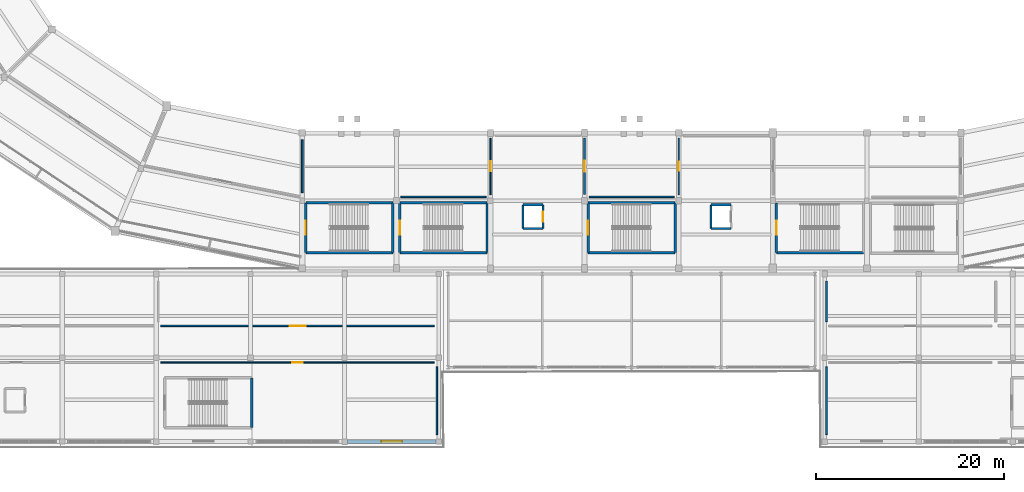
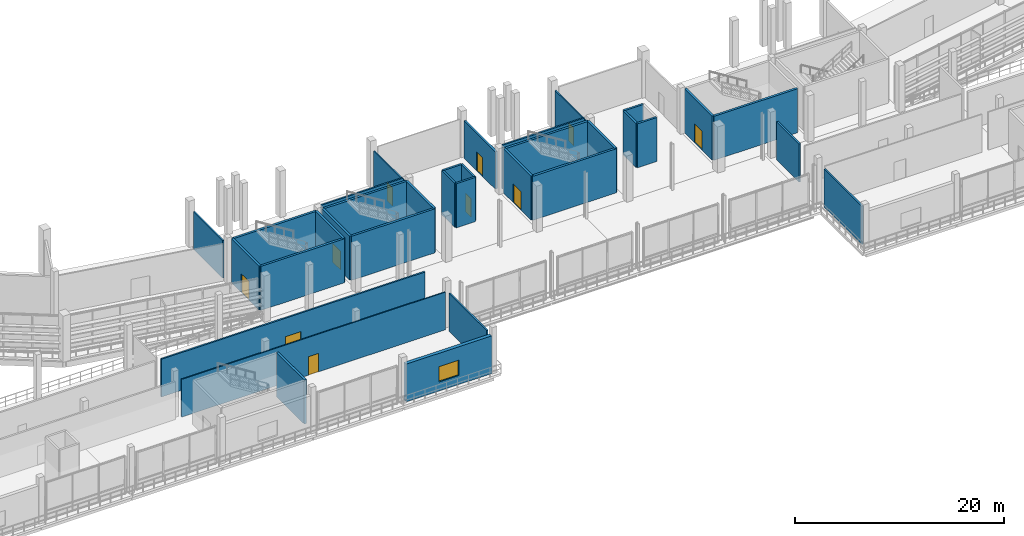
# One storey, part 71 of 111: 34 walls, 10 doors, 1 window, 11 openings.
"""IFC4 building model written with IfcOpenShell, lengths in metres."""

from ifc_helpers import new_model, si_unit, direction, frame, frame_2d, origin, place, context, subcontext, project, spatial, rectangle, extrude, material, layer, layer_set, type_object, element, fill, save


model = new_model("IFC4")

# Units and contexts
model_context = context("Model", 3, precision=1e-05, world=origin(), true_north=direction((0.0, 1.0)))
body_context = subcontext(model_context, "Body", "Model", "MODEL_VIEW")
ifc_project = project(units=[si_unit("LENGTHUNIT", "METRE"), si_unit("AREAUNIT", "SQUARE_METRE"), si_unit("VOLUMEUNIT", "CUBIC_METRE"), si_unit("PLANEANGLEUNIT", "RADIAN"), si_unit("MASSUNIT", "GRAM", prefix="KILO")], contexts=[model_context])

# Site, building, storey
site_placement = place(None, origin())
site = spatial("IfcSite", under=ifc_project, at=site_placement, CompositionType="ELEMENT")
building_placement = place(site_placement, origin())
building = spatial("IfcBuilding", under=site, at=building_placement, Name="Candeia Ridge Stadium", CompositionType="ELEMENT")
storey_placement = place(building_placement, frame((0.0, 0.0, 16.199951171875)))
storey = spatial("IfcBuildingStorey", under=building, at=storey_placement, Name="L03", CompositionType="ELEMENT", Elevation=16.199951171875)

# Wall, opening, door
ifc_material_1 = material(Name="Gypsum Metal-Stud Partition", Category="gypsum")
ifc_layer_1 = layer(ifc_material_1, 0.14501953125, Name="Gypsum Metal-Stud Partition", Category="gypsum")
ifc_layer_set_1 = layer_set([ifc_layer_1], Name="Gypsum Metal-Stud Partition")
wall_type_1 = type_object("IfcWallType", Name="Athlete Recovery Partition 145", PredefinedType="PARTITIONING", material=ifc_layer_set_1)
wall_1_placement = place(storey_placement, frame((111.0, 32.85009765625, 0.0), z_axis=(0.0, 0.0, 1.0), x_axis=(0.0, -1.0, 0.0)))
wall_1 = element("IfcWall", 1, at=wall_1_placement, inside=storey, type_object=wall_type_1, Name="Interior partition PT-L03-0597", PredefinedType="PARTITIONING", context=body_context, shape_type="SweptSolid", body=[
    extrude(rectangle(XDim=6.0, YDim=0.14501953125, at=frame_2d((3.0, 0.0))), origin(), (0.0, 0.0, 1.0), 4.375),
])
opening_1_placement = place(wall_1_placement, frame((2.5, 0.0, 0.0)))
opening_1 = element("IfcOpeningElement", 2, at=opening_1_placement, cuts=wall_1, Name="Opening ID06", PredefinedType="OPENING", context=body_context, shape_type="SweptSolid", body=[
    extrude(rectangle(XDim=1.0, YDim=2.10009765625, at=frame_2d((0.5, 1.050048828125))), frame((0.0, 0.08251953125, 0.0), z_axis=(0.0, -1.0, 0.0), x_axis=(1.0, 0.0, 0.0)), (0.0, 0.0, 1.0), 0.1650390625),
])
ifc_material_2 = material(Name="Moisture-Resistant Laminate", Category="wood")
door_type_1 = type_object("IfcDoorType", Name="Accessible Sanitary Door 1000x2100", OperationType="NOTDEFINED", PredefinedType="DOOR", material=ifc_material_2)
door_1_placement = place(opening_1_placement, origin())
door_1 = element("IfcDoor", 3, at=door_1_placement, inside=storey, type_object=door_type_1, Name="Interior room door D-L03-0307", OperationType="SINGLE_SWING_RIGHT", OverallHeight=2.10009765625, OverallWidth=1.0, PredefinedType="DOOR", context=body_context, shape_type="SweptSolid", body=[
    extrude(rectangle(XDim=1.0, YDim=2.10009765625, at=frame_2d((0.5, 1.050048828125))), frame((0.0, 0.02490234375, 0.0), z_axis=(0.0, -1.0, 0.0), x_axis=(1.0, 0.0, 0.0)), (0.0, 0.0, 1.0), 0.050048828125),
])
fill(opening_1, door_1)

ifc_material_3 = material(Name="Concrete Masonry Blockwork C25/30", Category="masonry")
ifc_layer_2 = layer(ifc_material_3, 0.14990234375, Name="Concrete Masonry Blockwork C25/30", Category="masonry")
ifc_layer_set_2 = layer_set([ifc_layer_2], Name="Concrete Masonry Blockwork C25/30")
wall_type_2 = type_object("IfcWallType", Name="Concourse Kiosk Partition 150", PredefinedType="PARTITIONING", material=ifc_layer_set_2)
wall_2_placement = place(storey_placement, frame((91.0, 32.85009765625, 0.0), z_axis=(0.0, 0.0, 1.0), x_axis=(0.0, -1.0, 0.0)))
wall_2 = element("IfcWall", 4, at=wall_2_placement, inside=storey, type_object=wall_type_2, Name="Interior partition PT-L03-0593", PredefinedType="PARTITIONING", context=body_context, shape_type="SweptSolid", body=[
    extrude(rectangle(XDim=6.0, YDim=0.14990234375, at=frame_2d((3.0, 0.0))), origin(), (0.0, 0.0, 1.0), 4.304931640625),
])
opening_2_placement = place(wall_2_placement, frame((2.489990234375, 0.0, 0.0)))
opening_2 = element("IfcOpeningElement", 5, at=opening_2_placement, cuts=wall_2, Name="Opening ID16", PredefinedType="OPENING", context=body_context, shape_type="SweptSolid", body=[
    extrude(rectangle(XDim=1.02001953125, YDim=2.14990234375, at=frame_2d((0.510009765625, 1.074951171875))), frame((0.0, 0.0849609375, 0.0), z_axis=(0.0, -1.0, 0.0), x_axis=(1.0, 0.0, 0.0)), (0.0, 0.0, 1.0), 0.169921875),
])
ifc_material_4 = material(Name="Solid Core Cedar Veneer", Category="wood")
door_type_2 = type_object("IfcDoorType", Name="Community Classroom Door 1020x2150", OperationType="NOTDEFINED", PredefinedType="DOOR", material=ifc_material_4)
door_2_placement = place(opening_2_placement, frame((1.02001953125, 0.0, 0.0), z_axis=(0.0, 0.0, 1.0), x_axis=(-1.0, 0.0, 0.0)))
door_2 = element("IfcDoor", 6, at=door_2_placement, inside=storey, type_object=door_type_2, Name="Interior room door D-L03-0305", OperationType="SINGLE_SWING_RIGHT", OverallHeight=2.14990234375, OverallWidth=1.02001953125, PredefinedType="DOOR", context=body_context, shape_type="SweptSolid", body=[
    extrude(rectangle(XDim=1.02001953125, YDim=2.14990234375, at=frame_2d((0.510009765625, 1.074951171875))), frame((0.0, 0.02490234375, 0.0), z_axis=(0.0, -1.0, 0.0), x_axis=(1.0, 0.0, 0.0)), (0.0, 0.0, 1.0), 0.050048828125),
])
fill(opening_2, door_2)

# Walls
ifc_material_5 = material(Name="Concrete C40/50", Category="concrete")
ifc_layer_3 = layer(ifc_material_5, 0.25, Name="Concrete C40/50", Category="concrete")
ifc_layer_set_3 = layer_set([ifc_layer_3], Name="Concrete C40/50")
wall_type_3 = type_object("IfcWallType", Name="Core Shear Wall Concrete 250", PredefinedType="SHEAR", material=ifc_layer_set_3)
wall_3_placement = place(storey_placement, frame((71.37548828125, 20.67529296875, 0.0), z_axis=(0.0, 0.0, 1.0), x_axis=(1.0, 0.0, 0.0)))
element("IfcWall", 7, at=wall_3_placement, inside=storey, type_object=wall_type_3, Name="Core C02 left shear wall L03", PredefinedType="SHEAR", context=body_context, shape_type="SweptSolid", body=[
    extrude(rectangle(XDim=9.2490234375, YDim=0.25, at=frame_2d((4.62451171875, 0.0))), origin(), (0.0, 0.0, 1.0), 5.14013671875),
])
wall_4_placement = place(storey_placement, frame((80.62451171875, 20.67529296875, 0.0), z_axis=(0.0, 0.0, 1.0), x_axis=(0.0, 1.0, 0.0)))
element("IfcWall", 8, at=wall_4_placement, inside=storey, type_object=wall_type_3, Name="Core C02 far shear wall L03", PredefinedType="SHEAR", context=body_context, shape_type="SweptSolid", body=[
    extrude(rectangle(XDim=5.29931640625, YDim=0.25, at=frame_2d((2.649658203125, 0.0))), origin(), (0.0, 0.0, 1.0), 5.14013671875),
])
wall_5_placement = place(storey_placement, frame((80.62451171875, 25.974609375, 0.0), z_axis=(0.0, 0.0, 1.0), x_axis=(-1.0, 0.0, 0.0)))
element("IfcWall", 9, at=wall_5_placement, inside=storey, type_object=wall_type_3, Name="Core C02 right shear wall L03", PredefinedType="SHEAR", context=body_context, shape_type="SweptSolid", body=[
    extrude(rectangle(XDim=9.2490234375, YDim=0.25, at=frame_2d((4.62451171875, 0.0))), origin(), (0.0, 0.0, 1.0), 5.14013671875),
])

# Wall, opening, door
wall_6_placement = place(storey_placement, frame((71.37548828125, 25.974609375, 0.0), z_axis=(0.0, 0.0, 1.0), x_axis=(0.0, -1.0, 0.0)))
wall_6 = element("IfcWall", 10, at=wall_6_placement, inside=storey, type_object=wall_type_3, Name="Core C02 near shear wall L03", PredefinedType="SHEAR", context=body_context, shape_type="SweptSolid", body=[
    extrude(rectangle(XDim=5.29931640625, YDim=0.25, at=frame_2d((2.649658203125, 0.0))), origin(), (0.0, 0.0, 1.0), 5.14013671875),
])
opening_3_placement = place(wall_6_placement, frame((1.899658203125, 0.0, 0.0)))
opening_3 = element("IfcOpeningElement", 11, at=opening_3_placement, cuts=wall_6, Name="Opening FD01", PredefinedType="OPENING", context=body_context, shape_type="SweptSolid", body=[
    extrude(rectangle(XDim=1.5, YDim=2.199951171875, at=frame_2d((0.75, 1.10009765625))), frame((0.0, 0.135009765625, 0.0), z_axis=(0.0, -1.0, 0.0), x_axis=(1.0, 0.0, 0.0)), (0.0, 0.0, 1.0), 0.27001953125),
])
ifc_material_6 = material(Name="Galvanized Fire-Rated Steel", Category="steel")
door_type_3 = type_object("IfcDoorType", Name="Exit Stair Core Fire Door 1500x2200", OperationType="NOTDEFINED", PredefinedType="DOOR", material=ifc_material_6)
door_3_placement = place(opening_3_placement, origin())
door_3 = element("IfcDoor", 12, at=door_3_placement, inside=storey, type_object=door_type_3, Name="Exit stair fire door SD-ST02-L03", OperationType="DOUBLE_DOOR_SINGLE_SWING", OverallHeight=2.199951171875, OverallWidth=1.5, PredefinedType="DOOR", context=body_context, shape_type="SweptSolid", body=[
    extrude(rectangle(XDim=1.5, YDim=2.199951171875, at=frame_2d((0.75, 1.10009765625))), frame((0.0, 0.02490234375, 0.0), z_axis=(0.0, -1.0, 0.0), x_axis=(1.0, 0.0, 0.0)), (0.0, 0.0, 1.0), 0.050048828125),
])
fill(opening_3, door_3)

# Walls
wall_7_placement = place(storey_placement, frame((81.37548828125, 20.67529296875, 0.0), z_axis=(0.0, 0.0, 1.0), x_axis=(1.0, 0.0, 0.0)))
element("IfcWall", 13, at=wall_7_placement, inside=storey, type_object=wall_type_3, Name="Core C11 left shear wall L03", PredefinedType="SHEAR", context=body_context, shape_type="SweptSolid", body=[
    extrude(rectangle(XDim=9.2490234375, YDim=0.25, at=frame_2d((4.62451171875, 0.0))), origin(), (0.0, 0.0, 1.0), 5.14013671875),
])
wall_8_placement = place(storey_placement, frame((90.62451171875, 20.67529296875, 0.0), z_axis=(0.0, 0.0, 1.0), x_axis=(0.0, 1.0, 0.0)))
element("IfcWall", 14, at=wall_8_placement, inside=storey, type_object=wall_type_3, Name="Core C11 far shear wall L03", PredefinedType="SHEAR", context=body_context, shape_type="SweptSolid", body=[
    extrude(rectangle(XDim=5.29931640625, YDim=0.25, at=frame_2d((2.649658203125, 0.0))), origin(), (0.0, 0.0, 1.0), 5.14013671875),
])
wall_9_placement = place(storey_placement, frame((90.62451171875, 25.974609375, 0.0), z_axis=(0.0, 0.0, 1.0), x_axis=(-1.0, 0.0, 0.0)))
element("IfcWall", 15, at=wall_9_placement, inside=storey, type_object=wall_type_3, Name="Core C11 right shear wall L03", PredefinedType="SHEAR", context=body_context, shape_type="SweptSolid", body=[
    extrude(rectangle(XDim=9.2490234375, YDim=0.25, at=frame_2d((4.62451171875, 0.0))), origin(), (0.0, 0.0, 1.0), 5.14013671875),
])

# Wall, opening, door
wall_10_placement = place(storey_placement, frame((81.37548828125, 25.974609375, 0.0), z_axis=(0.0, 0.0, 1.0), x_axis=(0.0, -1.0, 0.0)))
wall_10 = element("IfcWall", 16, at=wall_10_placement, inside=storey, type_object=wall_type_3, Name="Core C11 near shear wall L03", PredefinedType="SHEAR", context=body_context, shape_type="SweptSolid", body=[
    extrude(rectangle(XDim=5.29931640625, YDim=0.25, at=frame_2d((2.649658203125, 0.0))), origin(), (0.0, 0.0, 1.0), 5.14013671875),
])
opening_4_placement = place(wall_10_placement, frame((1.899658203125, 0.0, 0.0)))
opening_4 = element("IfcOpeningElement", 17, at=opening_4_placement, cuts=wall_10, Name="Opening FD01", PredefinedType="OPENING", context=body_context, shape_type="SweptSolid", body=[
    extrude(rectangle(XDim=1.5, YDim=2.199951171875, at=frame_2d((0.75, 1.10009765625))), frame((0.0, 0.135009765625, 0.0), z_axis=(0.0, -1.0, 0.0), x_axis=(1.0, 0.0, 0.0)), (0.0, 0.0, 1.0), 0.27001953125),
])
door_4_placement = place(opening_4_placement, origin())
door_4 = element("IfcDoor", 18, at=door_4_placement, inside=storey, type_object=door_type_3, Name="Exit stair fire door SD-ST11-L03", OperationType="DOUBLE_DOOR_SINGLE_SWING", OverallHeight=2.199951171875, OverallWidth=1.5, PredefinedType="DOOR", context=body_context, shape_type="SweptSolid", body=[
    extrude(rectangle(XDim=1.5, YDim=2.199951171875, at=frame_2d((0.75, 1.10009765625))), frame((0.0, 0.02490234375, 0.0), z_axis=(0.0, -1.0, 0.0), x_axis=(1.0, 0.0, 0.0)), (0.0, 0.0, 1.0), 0.050048828125),
])
fill(opening_4, door_4)

# Wall
wall_11_placement = place(storey_placement, frame((121.37548828125, 20.67529296875, 0.0), z_axis=(0.0, 0.0, 1.0), x_axis=(1.0, 0.0, 0.0)))
element("IfcWall", 19, at=wall_11_placement, inside=storey, type_object=wall_type_3, Name="Core C12 left shear wall L03", PredefinedType="SHEAR", context=body_context, shape_type="SweptSolid", body=[
    extrude(rectangle(XDim=9.2490234375, YDim=0.25, at=frame_2d((4.62451171875, 0.0))), origin(), (0.0, 0.0, 1.0), 5.14013671875),
])

# Wall, opening, door
wall_12_placement = place(storey_placement, frame((121.37548828125, 25.974609375, 0.0), z_axis=(0.0, 0.0, 1.0), x_axis=(0.0, -1.0, 0.0)))
wall_12 = element("IfcWall", 20, at=wall_12_placement, inside=storey, type_object=wall_type_3, Name="Core C12 near shear wall L03", PredefinedType="SHEAR", context=body_context, shape_type="SweptSolid", body=[
    extrude(rectangle(XDim=5.29931640625, YDim=0.25, at=frame_2d((2.649658203125, 0.0))), origin(), (0.0, 0.0, 1.0), 5.14013671875),
])
opening_5_placement = place(wall_12_placement, frame((1.899658203125, 0.0, 0.0)))
opening_5 = element("IfcOpeningElement", 21, at=opening_5_placement, cuts=wall_12, Name="Opening FD01", PredefinedType="OPENING", context=body_context, shape_type="SweptSolid", body=[
    extrude(rectangle(XDim=1.5, YDim=2.199951171875, at=frame_2d((0.75, 1.10009765625))), frame((0.0, 0.135009765625, 0.0), z_axis=(0.0, -1.0, 0.0), x_axis=(1.0, 0.0, 0.0)), (0.0, 0.0, 1.0), 0.27001953125),
])
door_5_placement = place(opening_5_placement, origin())
door_5 = element("IfcDoor", 22, at=door_5_placement, inside=storey, type_object=door_type_3, Name="Exit stair fire door SD-ST12-L03", OperationType="DOUBLE_DOOR_SINGLE_SWING", OverallHeight=2.199951171875, OverallWidth=1.5, PredefinedType="DOOR", context=body_context, shape_type="SweptSolid", body=[
    extrude(rectangle(XDim=1.5, YDim=2.199951171875, at=frame_2d((0.75, 1.10009765625))), frame((0.0, 0.02490234375, 0.0), z_axis=(0.0, -1.0, 0.0), x_axis=(1.0, 0.0, 0.0)), (0.0, 0.0, 1.0), 0.050048828125),
])
fill(opening_5, door_5)

# Walls
wall_13_placement = place(storey_placement, frame((65.62451171875, 2.075439453125, 0.0), z_axis=(0.0, 0.0, 1.0), x_axis=(0.0, 1.0, 0.0)))
element("IfcWall", 23, at=wall_13_placement, inside=storey, type_object=wall_type_3, Name="Core C13 far shear wall L03", PredefinedType="SHEAR", context=body_context, shape_type="SweptSolid", body=[
    extrude(rectangle(XDim=5.299072265625, YDim=0.25, at=frame_2d((2.6494140625, 0.0))), origin(), (0.0, 0.0, 1.0), 5.14013671875),
])
wall_14_placement = place(storey_placement, frame((101.37548828125, 20.67529296875, 0.0), z_axis=(0.0, 0.0, 1.0), x_axis=(1.0, 0.0, 0.0)))
element("IfcWall", 24, at=wall_14_placement, inside=storey, type_object=wall_type_3, Name="Core C18 left shear wall L03", PredefinedType="SHEAR", context=body_context, shape_type="SweptSolid", body=[
    extrude(rectangle(XDim=9.2490234375, YDim=0.25, at=frame_2d((4.62451171875, 0.0))), origin(), (0.0, 0.0, 1.0), 5.14013671875),
])
wall_15_placement = place(storey_placement, frame((110.62451171875, 20.67529296875, 0.0), z_axis=(0.0, 0.0, 1.0), x_axis=(0.0, 1.0, 0.0)))
element("IfcWall", 25, at=wall_15_placement, inside=storey, type_object=wall_type_3, Name="Core C18 far shear wall L03", PredefinedType="SHEAR", context=body_context, shape_type="SweptSolid", body=[
    extrude(rectangle(XDim=5.29931640625, YDim=0.25, at=frame_2d((2.649658203125, 0.0))), origin(), (0.0, 0.0, 1.0), 5.14013671875),
])
wall_16_placement = place(storey_placement, frame((110.62451171875, 25.974609375, 0.0), z_axis=(0.0, 0.0, 1.0), x_axis=(-1.0, 0.0, 0.0)))
element("IfcWall", 26, at=wall_16_placement, inside=storey, type_object=wall_type_3, Name="Core C18 right shear wall L03", PredefinedType="SHEAR", context=body_context, shape_type="SweptSolid", body=[
    extrude(rectangle(XDim=9.2490234375, YDim=0.25, at=frame_2d((4.62451171875, 0.0))), origin(), (0.0, 0.0, 1.0), 5.14013671875),
])

# Wall, opening, door
wall_17_placement = place(storey_placement, frame((101.37548828125, 25.974609375, 0.0), z_axis=(0.0, 0.0, 1.0), x_axis=(0.0, -1.0, 0.0)))
wall_17 = element("IfcWall", 27, at=wall_17_placement, inside=storey, type_object=wall_type_3, Name="Core C18 near shear wall L03", PredefinedType="SHEAR", context=body_context, shape_type="SweptSolid", body=[
    extrude(rectangle(XDim=5.29931640625, YDim=0.25, at=frame_2d((2.649658203125, 0.0))), origin(), (0.0, 0.0, 1.0), 5.14013671875),
])
opening_6_placement = place(wall_17_placement, frame((1.899658203125, 0.0, 0.0)))
opening_6 = element("IfcOpeningElement", 28, at=opening_6_placement, cuts=wall_17, Name="Opening FD01", PredefinedType="OPENING", context=body_context, shape_type="SweptSolid", body=[
    extrude(rectangle(XDim=1.5, YDim=2.199951171875, at=frame_2d((0.75, 1.10009765625))), frame((0.0, 0.135009765625, 0.0), z_axis=(0.0, -1.0, 0.0), x_axis=(1.0, 0.0, 0.0)), (0.0, 0.0, 1.0), 0.27001953125),
])
door_6_placement = place(opening_6_placement, origin())
door_6 = element("IfcDoor", 29, at=door_6_placement, inside=storey, type_object=door_type_3, Name="Exit stair fire door SD-ST18-L03", OperationType="DOUBLE_DOOR_SINGLE_SWING", OverallHeight=2.199951171875, OverallWidth=1.5, PredefinedType="DOOR", context=body_context, shape_type="SweptSolid", body=[
    extrude(rectangle(XDim=1.5, YDim=2.199951171875, at=frame_2d((0.75, 1.10009765625))), frame((0.0, 0.02490234375, 0.0), z_axis=(0.0, -1.0, 0.0), x_axis=(1.0, 0.0, 0.0)), (0.0, 0.0, 1.0), 0.050048828125),
])
fill(opening_6, door_6)

# Walls
ifc_material_7 = material(Name="Gypsum Acoustic Twin-Stud Assembly", Category="gypsum")
ifc_layer_4 = layer(ifc_material_7, 0.179931640625, Name="Gypsum Acoustic Twin-Stud Assembly", Category="gypsum")
ifc_layer_set_4 = layer_set([ifc_layer_4], Name="Gypsum Acoustic Twin-Stud Assembly")
wall_type_4 = type_object("IfcWallType", Name="Corridor Fire Partition 180", PredefinedType="PARTITIONING", material=ifc_layer_set_4)
wall_18_placement = place(storey_placement, frame((126.699951171875, 1.35009765625, 0.0), z_axis=(0.0, 0.0, 1.0), x_axis=(0.0, 1.0, 0.0)))
element("IfcWall", 30, at=wall_18_placement, inside=storey, type_object=wall_type_4, Name="Demising partition PT-L03-0542", PredefinedType="PARTITIONING", context=body_context, shape_type="SweptSolid", body=[
    extrude(rectangle(XDim=7.199951171875, YDim=0.179931640625, at=frame_2d((3.60009765625, 0.0))), origin(), (0.0, 0.0, 1.0), 4.455078125),
])
wall_19_placement = place(storey_placement, frame((110.550048828125, 26.60009765625, 0.0), z_axis=(0.0, 0.0, 1.0), x_axis=(-1.0, 0.0, 0.0)))
element("IfcWall", 31, at=wall_19_placement, inside=storey, type_object=wall_type_4, Name="Demising partition PT-L03-0598", PredefinedType="PARTITIONING", context=body_context, shape_type="SweptSolid", body=[
    extrude(rectangle(XDim=9.06005859375, YDim=0.179931640625, at=frame_2d((4.530029296875, 0.0))), origin(), (0.0, 0.0, 1.0), 5.1201171875),
])

# Wall, opening, door
ifc_material_8 = material(Name="Moisture-Resistant Masonry & Tile", Category="masonry")
ifc_layer_5 = layer(ifc_material_8, 0.22998046875, Name="Moisture-Resistant Masonry & Tile", Category="masonry")
ifc_layer_set_5 = layer_set([ifc_layer_5], Name="Moisture-Resistant Masonry & Tile")
wall_type_5 = type_object("IfcWallType", Name="Dressing Suite Wet-Wall Chase 230", PredefinedType="PLUMBINGWALL", material=ifc_layer_set_5)
wall_20_placement = place(storey_placement, frame((101.0, 32.85009765625, 0.0), z_axis=(0.0, 0.0, 1.0), x_axis=(0.0, -1.0, 0.0)))
wall_20 = element("IfcWall", 32, at=wall_20_placement, inside=storey, type_object=wall_type_5, Name="Interior partition PT-L03-0595", PredefinedType="PLUMBINGWALL", context=body_context, shape_type="SweptSolid", body=[
    extrude(rectangle(XDim=6.0, YDim=0.22998046875, at=frame_2d((3.0, 0.0))), origin(), (0.0, 0.0, 1.0), 4.344970703125),
])
opening_7_placement = place(wall_20_placement, frame((2.425048828125, 0.0, 0.0)))
opening_7 = element("IfcOpeningElement", 33, at=opening_7_placement, cuts=wall_20, Name="Opening ID02", PredefinedType="OPENING", context=body_context, shape_type="SweptSolid", body=[
    extrude(rectangle(XDim=1.14990234375, YDim=2.199951171875, at=frame_2d((0.574951171875, 1.10009765625))), frame((0.0, 0.125, 0.0), z_axis=(0.0, -1.0, 0.0), x_axis=(1.0, 0.0, 0.0)), (0.0, 0.0, 1.0), 0.25),
])
ifc_material_9 = material(Name="Acoustic Timber Studio Leaf", Category="wood")
door_type_4 = type_object("IfcDoorType", Name="Broadcast & Press Studio Door 1150x2200", OperationType="NOTDEFINED", PredefinedType="DOOR", material=ifc_material_9)
door_7_placement = place(opening_7_placement, origin())
door_7 = element("IfcDoor", 34, at=door_7_placement, inside=storey, type_object=door_type_4, Name="Interior room door D-L03-0306", OperationType="SINGLE_SWING_LEFT", OverallHeight=2.199951171875, OverallWidth=1.14990234375, PredefinedType="DOOR", context=body_context, shape_type="SweptSolid", body=[
    extrude(rectangle(XDim=1.14990234375, YDim=2.199951171875, at=frame_2d((0.574951171875, 1.10009765625))), frame((0.0, 0.02490234375, 0.0), z_axis=(0.0, -1.0, 0.0), x_axis=(1.0, 0.0, 0.0)), (0.0, 0.0, 1.0), 0.050048828125),
])
fill(opening_7, door_7)

# Wall, opening, window
ifc_layer_6 = layer(ifc_material_5, 0.3798828125, Name="Concrete C40/50", Category="concrete")
ifc_layer_set_6 = layer_set([ifc_layer_6], Name="Concrete C40/50")
wall_type_6 = type_object("IfcWallType", Name="Exterior Museum Gallery Wall 380", PredefinedType="SOLIDWALL", material=ifc_layer_set_6)
wall_21_placement = place(storey_placement, frame((75.7880859375, 0.60009765625, 0.0), z_axis=(0.0, 0.0, 1.0), x_axis=(1.0, 0.0, 0.0)))
wall_21 = element("IfcWall", 35, at=wall_21_placement, inside=storey, type_object=wall_type_6, Name="Exterior facade wall EW-L03-0184", PredefinedType="SOLIDWALL", context=body_context, shape_type="SweptSolid", body=[
    extrude(rectangle(XDim=9.448974609375, YDim=0.3798828125, at=frame_2d((4.724609375, 0.0))), origin(), (0.0, 0.0, 1.0), 4.405029296875),
])
opening_8_placement = place(wall_21_placement, frame((3.62451171875, 0.0, 1.050048828125)))
opening_8 = element("IfcOpeningElement", 36, at=opening_8_placement, cuts=wall_21, Name="Opening W07", PredefinedType="OPENING", context=body_context, shape_type="SweptSolid", body=[
    extrude(rectangle(XDim=2.199951171875, YDim=1.800048828125, at=frame_2d((1.10009765625, 0.89990234375))), frame((0.0, 0.199951171875, 0.0), z_axis=(0.0, -1.0, 0.0), x_axis=(1.0, 0.0, 0.0)), (0.0, 0.0, 1.0), 0.39990234375),
])
ifc_material_10 = material(Name="Tempered Solar-Control Double Glazing", Category="glass")
window_type = type_object("IfcWindowType", Name="Museum Gallery Window 2200x1800", PartitioningType="SINGLE_PANEL", PredefinedType="WINDOW", material=ifc_material_10)
window_placement = place(opening_8_placement, origin())
window = element("IfcWindow", 37, at=window_placement, inside=storey, type_object=window_type, Name="Exterior window WIN-L03-105", OverallHeight=1.800048828125, OverallWidth=2.199951171875, PartitioningType="SINGLE_PANEL", PredefinedType="WINDOW", context=body_context, shape_type="SweptSolid", body=[
    extrude(rectangle(XDim=2.199951171875, YDim=1.800048828125, at=frame_2d((1.10009765625, 0.89990234375))), frame((0.0, 0.030029296875, 0.0), z_axis=(0.0, -1.0, 0.0), x_axis=(1.0, 0.0, 0.0)), (0.0, 0.0, 1.0), 0.06005859375),
])
fill(opening_8, window)

# Wall
ifc_layer_7 = layer(ifc_material_5, 0.219970703125, Name="Concrete C40/50", Category="concrete")
ifc_layer_set_7 = layer_set([ifc_layer_7], Name="Concrete C40/50")
wall_type_7 = type_object("IfcWallType", Name="Lift & Riser Shaft Wall 220", PredefinedType="SHEAR", material=ifc_layer_set_7)
wall_22_placement = place(storey_placement, frame((94.43994140625, 23.239990234375, 0.0), z_axis=(0.0, 0.0, 1.0), x_axis=(1.0, 0.0, 0.0)))
element("IfcWall", 38, at=wall_22_placement, inside=storey, type_object=wall_type_7, Name="Lift PL3 shaft wall L03 south", PredefinedType="SHEAR", context=body_context, shape_type="SweptSolid", body=[
    extrude(rectangle(XDim=2.1201171875, YDim=0.219970703125, at=frame_2d((1.06005859375, 0.0))), origin(), (0.0, 0.0, 1.0), 5.14013671875),
])

# Wall, opening, door
wall_23_placement = place(storey_placement, frame((96.56005859375, 23.239990234375, 0.0), z_axis=(0.0, 0.0, 1.0), x_axis=(0.0, 1.0, 0.0)))
wall_23 = element("IfcWall", 39, at=wall_23_placement, inside=storey, type_object=wall_type_7, Name="Lift PL3 shaft wall L03 east", PredefinedType="SHEAR", context=body_context, shape_type="SweptSolid", body=[
    extrude(rectangle(XDim=2.52001953125, YDim=0.219970703125, at=frame_2d((1.260009765625, 0.0))), origin(), (0.0, 0.0, 1.0), 5.14013671875),
])
opening_9_placement = place(wall_23_placement, frame((0.735107421875, 0.0, 0.0)))
opening_9 = element("IfcOpeningElement", 40, at=opening_9_placement, cuts=wall_23, Name="Opening LD02", PredefinedType="OPENING", context=body_context, shape_type="SweptSolid", body=[
    extrude(rectangle(XDim=1.050048828125, YDim=2.14990234375, at=frame_2d((0.52490234375, 1.074951171875))), frame((0.0, 0.119873046875, 0.0), z_axis=(0.0, -1.0, 0.0), x_axis=(1.0, 0.0, 0.0)), (0.0, 0.0, 1.0), 0.239990234375),
])
ifc_material_11 = material(Name="Brushed Stainless Steel", Category="steel")
door_type_5 = type_object("IfcDoorType", Name="Passenger Lift Landing Door 1050x2150", OperationType="NOTDEFINED", PredefinedType="DOOR", material=ifc_material_11)
door_8_placement = place(opening_9_placement, origin())
door_8 = element("IfcDoor", 41, at=door_8_placement, inside=storey, type_object=door_type_5, Name="Lift landing sliding door LD-PL3-L03", OperationType="DOUBLE_DOOR_SLIDING", OverallHeight=2.14990234375, OverallWidth=1.050048828125, PredefinedType="DOOR", context=body_context, shape_type="SweptSolid", body=[
    extrude(rectangle(XDim=1.050048828125, YDim=2.14990234375, at=frame_2d((0.52490234375, 1.074951171875))), frame((0.0, 0.02490234375, 0.0), z_axis=(0.0, -1.0, 0.0), x_axis=(1.0, 0.0, 0.0)), (0.0, 0.0, 1.0), 0.050048828125),
])
fill(opening_9, door_8)

# Walls
wall_24_placement = place(storey_placement, frame((96.56005859375, 25.760009765625, 0.0), z_axis=(0.0, 0.0, 1.0), x_axis=(-1.0, 0.0, 0.0)))
element("IfcWall", 42, at=wall_24_placement, inside=storey, type_object=wall_type_7, Name="Lift PL3 shaft wall L03 north", PredefinedType="SHEAR", context=body_context, shape_type="SweptSolid", body=[
    extrude(rectangle(XDim=2.1201171875, YDim=0.219970703125, at=frame_2d((1.06005859375, 0.0))), origin(), (0.0, 0.0, 1.0), 5.14013671875),
])
wall_25_placement = place(storey_placement, frame((94.43994140625, 25.760009765625, 0.0), z_axis=(0.0, 0.0, 1.0), x_axis=(0.0, -1.0, 0.0)))
element("IfcWall", 43, at=wall_25_placement, inside=storey, type_object=wall_type_7, Name="Lift PL3 shaft wall L03 west", PredefinedType="SHEAR", context=body_context, shape_type="SweptSolid", body=[
    extrude(rectangle(XDim=2.52001953125, YDim=0.219970703125, at=frame_2d((1.260009765625, 0.0))), origin(), (0.0, 0.0, 1.0), 5.14013671875),
])
for number, where, z_axis, x_axis, name in (
    (44, (114.43994140625, 23.239990234375, 0.0), (0.0, 0.0, 1.0), (1.0, 0.0, 0.0), "Lift PL4 shaft wall L03 south"),
    (45, (116.56005859375, 25.760009765625, 0.0), (0.0, 0.0, 1.0), (-1.0, 0.0, 0.0), "Lift PL4 shaft wall L03 north"),
):
    element("IfcWall", number, at=place(storey_placement, frame(where, z_axis=z_axis, x_axis=x_axis)), inside=storey, type_object=wall_type_7, Name=name, PredefinedType="SHEAR", context=body_context, shape_type="SweptSolid", body=[
        extrude(rectangle(XDim=2.1201171875, YDim=0.219970703125, at=frame_2d((1.06005859375, 0.0))), origin(), (0.0, 0.0, 1.0), 5.14013671875),
    ])
wall_26_placement = place(storey_placement, frame((114.43994140625, 25.760009765625, 0.0), z_axis=(0.0, 0.0, 1.0), x_axis=(0.0, -1.0, 0.0)))
element("IfcWall", 46, at=wall_26_placement, inside=storey, type_object=wall_type_7, Name="Lift PL4 shaft wall L03 west", PredefinedType="SHEAR", context=body_context, shape_type="SweptSolid", body=[
    extrude(rectangle(XDim=2.52001953125, YDim=0.219970703125, at=frame_2d((1.260009765625, 0.0))), origin(), (0.0, 0.0, 1.0), 5.14013671875),
])
ifc_material_12 = material(Name="Gypsum Acoustic Triple-Board Wall", Category="gypsum")
ifc_layer_8 = layer(ifc_material_12, 0.18994140625, Name="Gypsum Acoustic Triple-Board Wall", Category="gypsum")
ifc_layer_set_8 = layer_set([ifc_layer_8], Name="Gypsum Acoustic Triple-Board Wall")
wall_type_8 = type_object("IfcWallType", Name="Media & Commentary Studio Wall 190", PredefinedType="PARTITIONING", material=ifc_layer_set_8)
wall_27_placement = place(storey_placement, frame((126.699951171875, 13.35009765625, 0.0), z_axis=(0.0, 0.0, 1.0), x_axis=(0.0, 1.0, 0.0)))
element("IfcWall", 47, at=wall_27_placement, inside=storey, type_object=wall_type_8, Name="Demising partition PT-L03-0544", PredefinedType="PARTITIONING", context=body_context, shape_type="SweptSolid", body=[
    extrude(rectangle(XDim=4.2998046875, YDim=0.18994140625, at=frame_2d((2.14990234375, 0.0))), origin(), (0.0, 0.0, 1.0), 4.455078125),
])

# Wall, opening, door
ifc_layer_9 = layer(ifc_material_7, 0.175048828125, Name="Gypsum Acoustic Twin-Stud Assembly", Category="gypsum")
ifc_layer_set_9 = layer_set([ifc_layer_9], Name="Gypsum Acoustic Twin-Stud Assembly")
wall_type_9 = type_object("IfcWallType", Name="Museum Acoustic Gallery Wall 175", PredefinedType="PARTITIONING", material=ifc_layer_set_9)
wall_28_placement = place(storey_placement, frame((85.050048828125, 12.89990234375, 0.0), z_axis=(0.0, 0.0, 1.0), x_axis=(-1.0, 0.0, 0.0)))
wall_28 = element("IfcWall", 48, at=wall_28_placement, inside=storey, type_object=wall_type_9, Name="Interior partition PT-L03-0539", PredefinedType="PARTITIONING", context=body_context, shape_type="SweptSolid", body=[
    extrude(rectangle(XDim=29.10009765625, YDim=0.175048828125, at=frame_2d((14.550048828125, 0.0))), origin(), (0.0, 0.0, 1.0), 4.405029296875),
])
opening_10_placement = place(wall_28_placement, frame((13.699951171875, 0.0, 0.0)))
opening_10 = element("IfcOpeningElement", 49, at=opening_10_placement, cuts=wall_28, Name="Opening ID09", PredefinedType="OPENING", context=body_context, shape_type="SweptSolid", body=[
    extrude(rectangle(XDim=1.699951171875, YDim=2.25, at=frame_2d((0.85009765625, 1.125))), frame((0.0, 0.097412109375, 0.0), z_axis=(0.0, -1.0, 0.0), x_axis=(1.0, 0.0, 0.0)), (0.0, 0.0, 1.0), 0.195068359375),
])
ifc_material_13 = material(Name="Timber Fire-Rated Acoustic", Category="wood")
door_type_6 = type_object("IfcDoorType", Name="Founders Lounge Double Door 1700x2250", OperationType="NOTDEFINED", PredefinedType="DOOR", material=ifc_material_13)
door_9_placement = place(opening_10_placement, origin())
door_9 = element("IfcDoor", 50, at=door_9_placement, inside=storey, type_object=door_type_6, Name="Interior room door D-L03-0278", OperationType="DOUBLE_DOOR_SINGLE_SWING", OverallHeight=2.25, OverallWidth=1.699951171875, PredefinedType="DOOR", context=body_context, shape_type="SweptSolid", body=[
    extrude(rectangle(XDim=1.699951171875, YDim=2.25, at=frame_2d((0.85009765625, 1.125))), frame((0.0, 0.02490234375, 0.0), z_axis=(0.0, -1.0, 0.0), x_axis=(1.0, 0.0, 0.0)), (0.0, 0.0, 1.0), 0.050048828125),
])
fill(opening_10, door_9)

# Walls
wall_29_placement = place(storey_placement, frame((71.0, 32.64990234375, 0.0), z_axis=(0.0, 0.0, 1.0), x_axis=(0.0, -1.0, 0.0)))
element("IfcWall", 51, at=wall_29_placement, inside=storey, type_object=wall_type_9, Name="Demising partition PT-L03-0592", PredefinedType="PARTITIONING", context=body_context, shape_type="SweptSolid", body=[
    extrude(rectangle(XDim=5.599853515625, YDim=0.175048828125, at=frame_2d((2.7998046875, 0.0))), origin(), (0.0, 0.0, 1.0), 4.364990234375),
])
ifc_layer_10 = layer(ifc_material_7, 0.169921875, Name="Gypsum Acoustic Twin-Stud Assembly", Category="gypsum")
ifc_layer_set_10 = layer_set([ifc_layer_10], Name="Gypsum Acoustic Twin-Stud Assembly")
wall_type_10 = type_object("IfcWallType", Name="Skybox Demising Acoustic Wall 170", PredefinedType="PARTITIONING", material=ifc_layer_set_10)
wall_30_placement = place(storey_placement, frame((85.300048828125, 8.550048828125, 0.0), z_axis=(0.0, 0.0, 1.0), x_axis=(0.0, -1.0, 0.0)))
element("IfcWall", 52, at=wall_30_placement, inside=storey, type_object=wall_type_10, Name="Demising partition PT-L03-0538", PredefinedType="PARTITIONING", context=body_context, shape_type="SweptSolid", body=[
    extrude(rectangle(XDim=7.199951171875, YDim=0.169921875, at=frame_2d((3.60009765625, 0.0))), origin(), (0.0, 0.0, 1.0), 4.455078125),
])
wall_31_placement = place(storey_placement, frame((90.550048828125, 26.60009765625, 0.0), z_axis=(0.0, 0.0, 1.0), x_axis=(-1.0, 0.0, 0.0)))
element("IfcWall", 53, at=wall_31_placement, inside=storey, type_object=wall_type_10, Name="Demising partition PT-L03-0594", PredefinedType="PARTITIONING", context=body_context, shape_type="SweptSolid", body=[
    extrude(rectangle(XDim=9.06005859375, YDim=0.169921875, at=frame_2d((4.530029296875, 0.0))), origin(), (0.0, 0.0, 1.0), 5.1201171875),
])

# Wall, opening, door
ifc_layer_11 = layer(ifc_material_1, 0.1201171875, Name="Gypsum Metal-Stud Partition", Category="gypsum")
ifc_layer_set_11 = layer_set([ifc_layer_11], Name="Gypsum Metal-Stud Partition")
wall_type_11 = type_object("IfcWallType", Name="Suite Internal Divider 120", PredefinedType="PARTITIONING", material=ifc_layer_set_11)
wall_32_placement = place(storey_placement, frame((55.949951171875, 9.0, 0.0), z_axis=(0.0, 0.0, 1.0), x_axis=(1.0, 0.0, 0.0)))
wall_32 = element("IfcWall", 54, at=wall_32_placement, inside=storey, type_object=wall_type_11, Name="Interior partition PT-L03-0537", PredefinedType="PARTITIONING", context=body_context, shape_type="SweptSolid", body=[
    extrude(rectangle(XDim=29.10009765625, YDim=0.1201171875, at=frame_2d((14.550048828125, 0.0))), origin(), (0.0, 0.0, 1.0), 4.405029296875),
])
opening_11_placement = place(wall_32_placement, frame((14.0, 0.0, 0.0)))
opening_11 = element("IfcOpeningElement", 55, at=opening_11_placement, cuts=wall_32, Name="Opening FD04", PredefinedType="OPENING", context=body_context, shape_type="SweptSolid", body=[
    extrude(rectangle(XDim=1.10009765625, YDim=2.14990234375, at=frame_2d((0.550048828125, 1.074951171875))), frame((0.0, 0.070068359375, 0.0), z_axis=(0.0, -1.0, 0.0), x_axis=(1.0, 0.0, 0.0)), (0.0, 0.0, 1.0), 0.14013671875),
])
door_type_7 = type_object("IfcDoorType", Name="Plant & Riser Rated Door 1100x2150", OperationType="NOTDEFINED", PredefinedType="DOOR", material=ifc_material_6)
door_10_placement = place(opening_11_placement, origin())
door_10 = element("IfcDoor", 56, at=door_10_placement, inside=storey, type_object=door_type_7, Name="Interior room door D-L03-0277", OperationType="SINGLE_SWING_RIGHT", OverallHeight=2.14990234375, OverallWidth=1.10009765625, PredefinedType="DOOR", context=body_context, shape_type="SweptSolid", body=[
    extrude(rectangle(XDim=1.10009765625, YDim=2.14990234375, at=frame_2d((0.550048828125, 1.074951171875))), frame((0.0, 0.02490234375, 0.0), z_axis=(0.0, -1.0, 0.0), x_axis=(1.0, 0.0, 0.0)), (0.0, 0.0, 1.0), 0.050048828125),
])
fill(opening_11, door_10)

save(model, "model.ifc")
